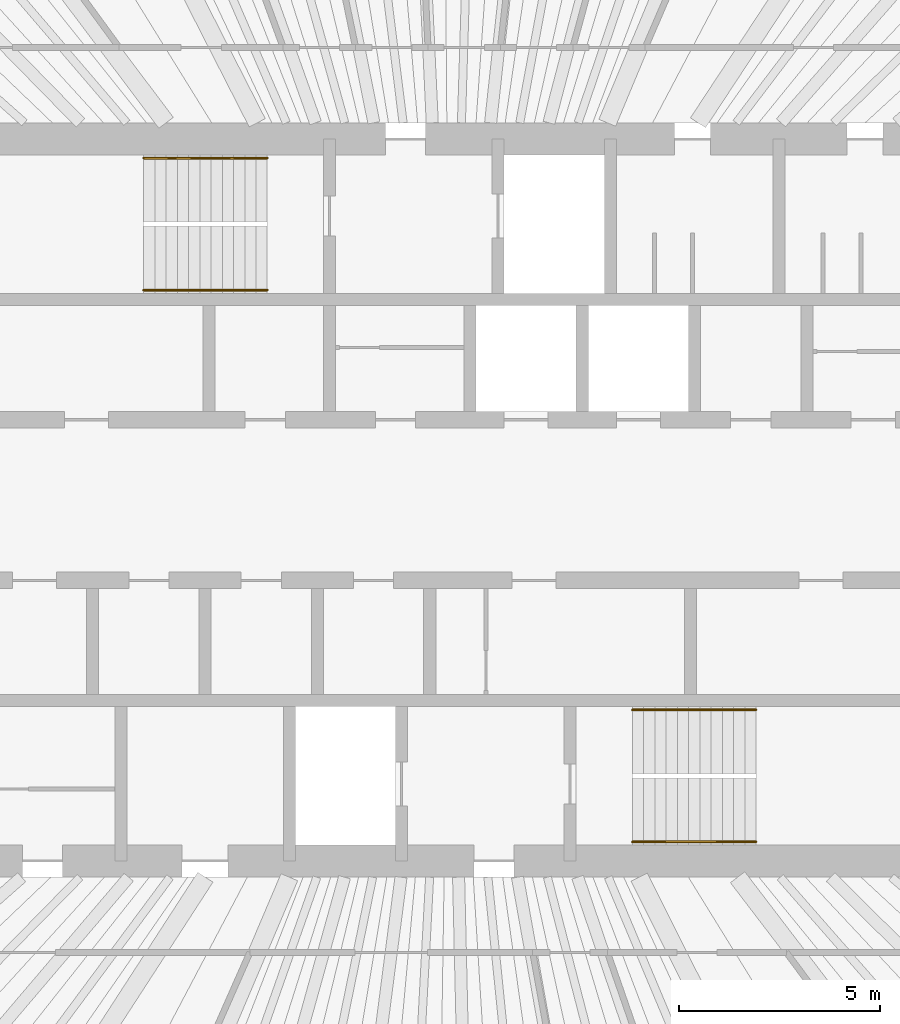
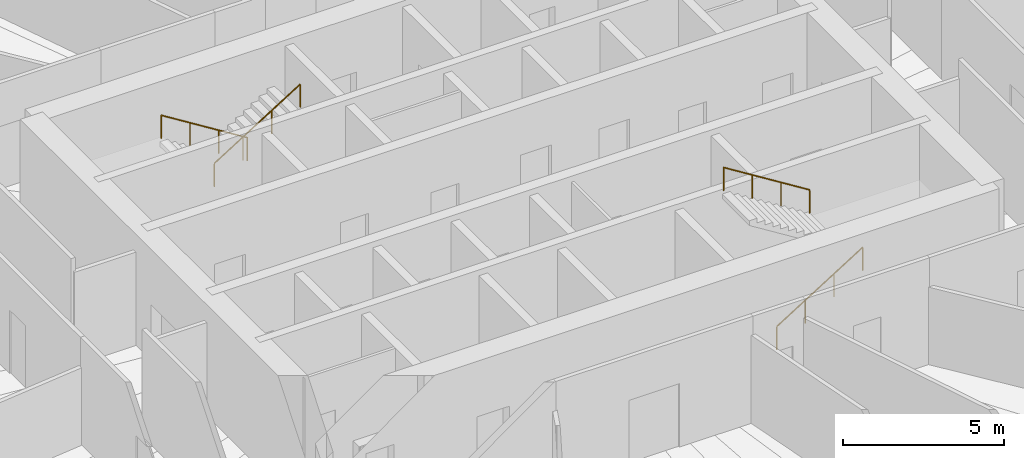
# One storey, part 15 of 15: 4 railings.
"""IFC4 building model written with IfcOpenShell, lengths in metres."""

from ifc_helpers import new_model, si_unit, direction, frame, origin, origin_2d, place, context, subcontext, project, spatial, circle, extrude, material, type_object, element, save


model = new_model("IFC4")

# Units and contexts
model_context = context("Model", 3, precision=1e-05, world=origin(), true_north=direction((0.0, 1.0)))
body_context = subcontext(model_context, "Body", "Model", "MODEL_VIEW")
ifc_project = project(units=[si_unit("LENGTHUNIT", "METRE"), si_unit("AREAUNIT", "SQUARE_METRE"), si_unit("VOLUMEUNIT", "CUBIC_METRE"), si_unit("PLANEANGLEUNIT", "RADIAN"), si_unit("MASSUNIT", "GRAM", prefix="KILO")], contexts=[model_context])

# Site, building, storey
site_placement = place(None, origin())
site = spatial("IfcSite", under=ifc_project, at=site_placement, CompositionType="ELEMENT")
building_placement = place(site_placement, origin())
building = spatial("IfcBuilding", under=site, at=building_placement, Name="Qingtian Harvest Tower", CompositionType="ELEMENT")
storey_placement = place(building_placement, frame((0.0, 0.0, 312.39990234375)))
storey = spatial("IfcBuildingStorey", under=building, at=storey_placement, Name="L69", CompositionType="ELEMENT", Elevation=312.39990234375)

# Railings
ifc_material = material(Name="Stainless steel handrail", Category="steel")
railing_type = type_object("IfcRailingType", Name="Handrail HR1", PredefinedType="HANDRAIL", material=ifc_material)
railing_1_placement = place(storey_placement, frame((-4.550048828125, 8.52001953125, 0.175048828125)))
element("IfcRailing", 1, at=railing_1_placement, inside=storey, type_object=railing_type, Name="Handrail HR1 S1 flight 1", PredefinedType="HANDRAIL", context=body_context, shape_type="SweptSolid", body=[
    extrude(circle(Radius=0.02392578125, at=origin_2d()), frame((0.0, 0.0, 0.8759765625), z_axis=(-0.847979421464, 0.0, 0.530029150871), x_axis=(0.0, -1.0, 0.0)), (0.0, 0.0, 1.0), 3.632080078125),
    extrude(circle(Radius=0.02099609375, at=origin_2d()), origin(), (0.0, 0.0, 1.0), 0.851806640625),
    extrude(circle(Radius=0.02099609375, at=origin_2d()), frame((-1.026611328125, 0.0, 0.6416015625)), (0.0, 0.0, 1.0), 0.851806640625),
    extrude(circle(Radius=0.02099609375, at=origin_2d()), frame((-2.05322265625, 0.0, 1.283447265625)), (0.0, 0.0, 1.0), 0.851806640625),
    extrude(circle(Radius=0.02099609375, at=origin_2d()), frame((-3.079833984375, 0.0, 1.925048828125)), (0.0, 0.0, 1.0), 0.851806640625),
])
for number, where, name in (
    (2, (-7.6298828125, 5.22998046875, 2.275146484375), "Handrail HR1 S1 flight 2"),
    (3, (4.550048828125, -8.52001953125, 0.175048828125), "Handrail HR1 S2 flight 1"),
):
    element("IfcRailing", number, at=place(storey_placement, frame(where)), inside=storey, type_object=railing_type, Name=name, PredefinedType="HANDRAIL", context=body_context, shape_type="SweptSolid", body=[
        extrude(circle(Radius=0.02392578125, at=origin_2d()), frame((0.0, 0.0, 0.8759765625), z_axis=(0.847979421464, 0.0, 0.530029150871), x_axis=(0.0, 1.0, 0.0)), (0.0, 0.0, 1.0), 3.632080078125),
        extrude(circle(Radius=0.02099609375, at=origin_2d()), origin(), (0.0, 0.0, 1.0), 0.851806640625),
        extrude(circle(Radius=0.02099609375, at=origin_2d()), frame((1.026611328125, 0.0, 0.6416015625)), (0.0, 0.0, 1.0), 0.851806640625),
        extrude(circle(Radius=0.02099609375, at=origin_2d()), frame((2.05322265625, 0.0, 1.283447265625)), (0.0, 0.0, 1.0), 0.851806640625),
        extrude(circle(Radius=0.02099609375, at=origin_2d()), frame((3.079833984375, 0.0, 1.925048828125)), (0.0, 0.0, 1.0), 0.851806640625),
    ])
railing_2_placement = place(storey_placement, frame((7.6298828125, -5.22998046875, 2.275146484375)))
element("IfcRailing", 4, at=railing_2_placement, inside=storey, type_object=railing_type, Name="Handrail HR1 S2 flight 2", PredefinedType="HANDRAIL", context=body_context, shape_type="SweptSolid", body=[
    extrude(circle(Radius=0.02392578125, at=origin_2d()), frame((0.0, 0.0, 0.8759765625), z_axis=(-0.847979421464, 0.0, 0.530029150871), x_axis=(0.0, -1.0, 0.0)), (0.0, 0.0, 1.0), 3.632080078125),
    extrude(circle(Radius=0.02099609375, at=origin_2d()), origin(), (0.0, 0.0, 1.0), 0.851806640625),
    extrude(circle(Radius=0.02099609375, at=origin_2d()), frame((-1.026611328125, 0.0, 0.6416015625)), (0.0, 0.0, 1.0), 0.851806640625),
    extrude(circle(Radius=0.02099609375, at=origin_2d()), frame((-2.05322265625, 0.0, 1.283447265625)), (0.0, 0.0, 1.0), 0.851806640625),
    extrude(circle(Radius=0.02099609375, at=origin_2d()), frame((-3.079833984375, 0.0, 1.925048828125)), (0.0, 0.0, 1.0), 0.851806640625),
])

save(model, "model.ifc")
